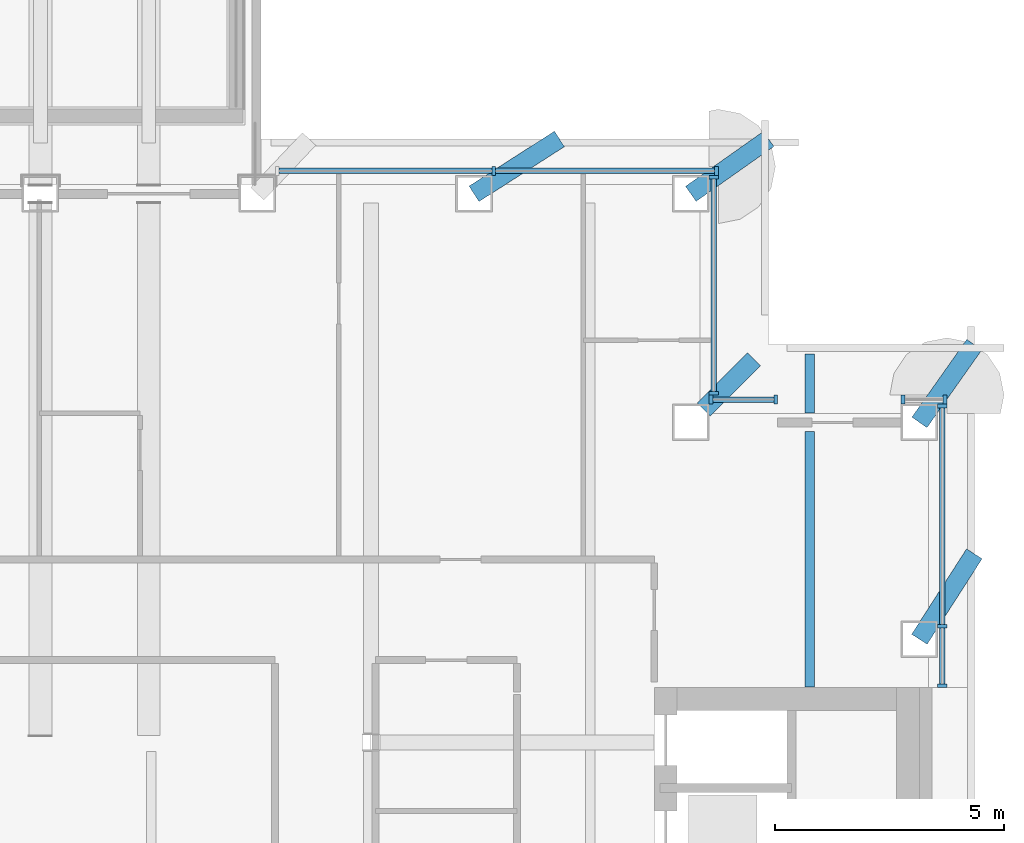
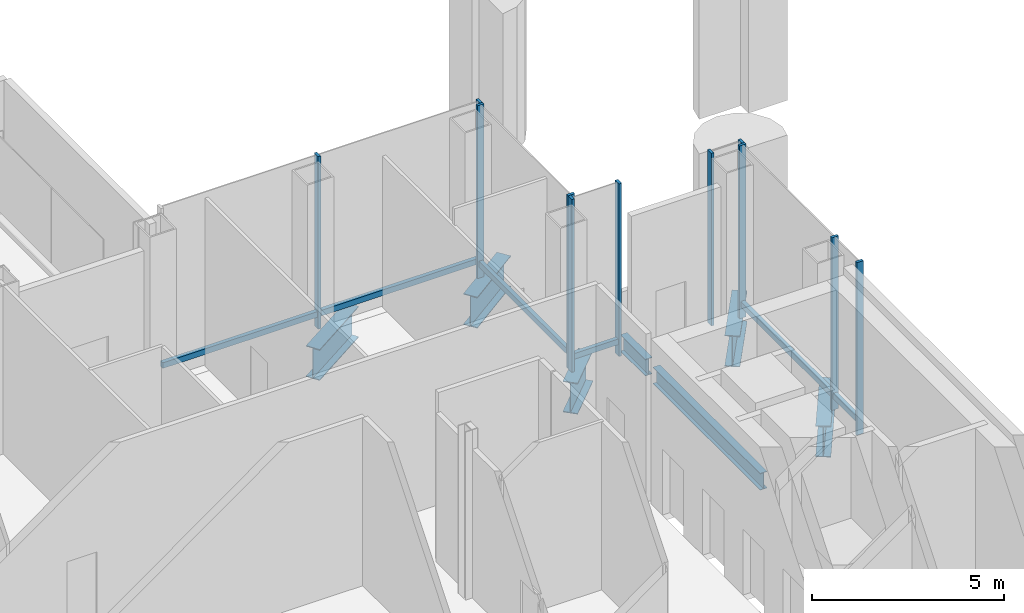
# One storey, part 6 of 22: 17 members, 7 beams, 5 elements without a shape of their own.
"""IFC4 building model written with IfcOpenShell, lengths in metres."""

import ifcopenshell
import ifcopenshell.guid

model = None  # the IFC model being written
_history = None  # IfcOwnerHistory: only IFC2X3 demands one
_inside = {}  # id of a spatial element -> (the spatial element, [elements in it])
_under = {}  # id of a project, library or spatial element -> (it, [spatial elements below it])
_declared = {}  # id of a project -> (the project, [libraries it declares])
_typed = {}  # id of a type object -> (the type object, [elements of that type])
_made_of = {}  # id of a material, layer set ... -> (it, [elements and type objects made of it])


def new_model(schema):
    """Start an empty IFC model of exactly this schema.

    Asked for "IFC4X3", IfcOpenShell would pick the latest addendum, in which some entities
    have other attributes; the version numbers below select the first issue.
    IFC2X3 requires an IfcOwnerHistory on every rooted entity: one is made here for all.
    """
    global model, _history
    if schema == "IFC4X3":
        model = ifcopenshell.file(schema_version=(4, 3, 0, 0))
    else:
        model = ifcopenshell.file(schema=schema)
    _inside.clear()
    _under.clear()
    _declared.clear()
    _typed.clear()
    _made_of.clear()
    _history = None
    if model.schema == "IFC2X3":
        org = make("IfcOrganization", Name="unknown")
        user = make(
            "IfcPersonAndOrganization",
            ThePerson=make("IfcPerson", FamilyName="unknown"),
            TheOrganization=org,
        )
        app = make(
            "IfcApplication",
            ApplicationDeveloper=org,
            Version="unknown",
            ApplicationFullName="unknown",
            ApplicationIdentifier="unknown",
        )
        _history = make(
            "IfcOwnerHistory",
            OwningUser=user,
            OwningApplication=app,
            ChangeAction="ADDED",
            CreationDate=0,
        )
    return model


def make(cls, **values):
    """One entity of the class cls with the attributes given. An attribute that is None is left unset."""
    return model.create_entity(
        cls, **{name: value for name, value in values.items() if value is not None}
    )


def rooted(cls, **values):
    """An entity with a GlobalId (a new one), such as an element, a storey or a relation."""
    return make(cls, GlobalId=ifcopenshell.guid.new(), OwnerHistory=_history, **values)


def si_unit(unit_type, name, prefix=None):
    """IfcSIUnit, for example si_unit("LENGTHUNIT", "METRE", prefix="MILLI")."""
    return make("IfcSIUnit", UnitType=unit_type, Prefix=prefix, Name=name)


def assignment(units):
    """IfcUnitAssignment: the units of a project."""
    return None if units is None else make("IfcUnitAssignment", Units=units)


def point(xyz):
    """IfcCartesianPoint."""
    return None if xyz is None else make("IfcCartesianPoint", Coordinates=xyz)


def direction(xyz):
    """IfcDirection."""
    return None if xyz is None else make("IfcDirection", DirectionRatios=xyz)


def frame(location, z_axis=None, x_axis=None):
    """IfcAxis2Placement3D, a coordinate frame: its origin and axes. An axis left out is left unset."""
    return make(
        "IfcAxis2Placement3D",
        Location=point(location),
        Axis=direction(z_axis),
        RefDirection=direction(x_axis),
    )


def frame_2d(location, x_axis=None):
    """IfcAxis2Placement2D, a coordinate frame in the plane: its origin and x axis."""
    return make(
        "IfcAxis2Placement2D", Location=point(location), RefDirection=direction(x_axis)
    )


def origin():
    """The frame at (0, 0, 0) with its axes left unset."""
    return frame((0.0, 0.0, 0.0))


def origin_2d():
    """The frame at (0, 0) in the plane with its x axis left unset."""
    return frame_2d((0.0, 0.0))


def place(relative_to, where):
    """IfcLocalPlacement: puts the frame where relative to a parent placement (None: the world)."""
    return make(
        "IfcLocalPlacement", PlacementRelTo=relative_to, RelativePlacement=where
    )


def context(
    kind, dimensions, precision=None, world=None, true_north=None, identifier=None
):
    """IfcGeometricRepresentationContext, for example the 3D "Model" context."""
    return make(
        "IfcGeometricRepresentationContext",
        ContextIdentifier=identifier,
        ContextType=kind,
        CoordinateSpaceDimension=dimensions,
        Precision=precision,
        WorldCoordinateSystem=world,
        TrueNorth=true_north,
    )


def subcontext(parent, identifier, kind, view, scale=None):
    """IfcGeometricRepresentationSubContext, for example "Body" below "Model"."""
    return make(
        "IfcGeometricRepresentationSubContext",
        ContextIdentifier=identifier,
        ContextType=kind,
        ParentContext=parent,
        TargetScale=scale,
        TargetView=view,
    )


def project(units=None, contexts=None):
    """IfcProject with its units and contexts."""
    return rooted(
        "IfcProject",
        Name="project",
        RepresentationContexts=contexts,
        UnitsInContext=assignment(units),
    )


def spatial(cls, under=None, at=None, **own):
    """A site, building, storey or space (cls), placed at a placement, below another one or the project."""
    s = rooted(cls, ObjectPlacement=at, **own)
    if under is not None:
        _under.setdefault(under.id(), (under, []))[1].append(s)
    return s


def profile(cls, at=None, kind="AREA", **sizes):
    """A parametric profile (cls). Its sizes go by their IFC names, for example OverallWidth=200.0."""
    return make(cls, ProfileType=kind, Position=at, **sizes)


def rectangle(**sizes):
    """IfcRectangleProfileDef."""
    return profile("IfcRectangleProfileDef", **sizes)


def i_section(**sizes):
    """IfcIShapeProfileDef."""
    return profile("IfcIShapeProfileDef", **sizes)


def extrude(swept, where, along, depth):
    """IfcExtrudedAreaSolid: the profile swept, set in the frame where, extruded along a direction by depth."""
    return make(
        "IfcExtrudedAreaSolid",
        SweptArea=swept,
        Position=where,
        ExtrudedDirection=direction(along),
        Depth=depth,
    )


def shape(context_of_items, identifier, shape_type, items):
    """IfcShapeRepresentation: the items that make up one representation, for example the "Body"."""
    return make(
        "IfcShapeRepresentation",
        ContextOfItems=context_of_items,
        RepresentationIdentifier=identifier,
        RepresentationType=shape_type,
        Items=items,
    )


def material(Name=None, Category=None):
    """IfcMaterial."""
    return make("IfcMaterial", Name=Name, Category=Category)


def material_profile(
    of_material, cross_section, Name=None, Category=None, Priority=None
):
    """IfcMaterialProfile: a cross section and its material."""
    return make(
        "IfcMaterialProfile",
        Name=Name,
        Material=of_material,
        Profile=cross_section,
        Priority=Priority,
        Category=Category,
    )


def profile_set(profiles, Name=None, composite=None):
    """IfcMaterialProfileSet."""
    return make(
        "IfcMaterialProfileSet",
        Name=Name,
        MaterialProfiles=profiles,
        CompositeProfile=composite,
    )


def made_of(thing, what):
    """Note that an element or type object is made of a material, layer set ...; save() writes the relation."""
    if what is not None:
        _made_of.setdefault(what.id(), (what, []))[1].append(thing)
    return thing


def type_object(cls, material=None, **own):
    """A type object (cls), such as IfcWallType, which elements share."""
    return made_of(rooted(cls, **own), material)


def element(
    cls,
    number,
    at=None,
    inside=None,
    cuts=None,
    type_object=None,
    material=None,
    context=None,
    identifier="Body",
    shape_type=None,
    held_by="IfcProductDefinitionShape",
    body=None,
    shapes=None,
    **own,
):
    """One element of the class cls, such as IfcWall. Its Tag is "e" and its number.

    at: its placement. inside: the storey or other place that contains it. cuts: it is an
    opening in that element (IfcRelVoidsElement). A single representation is given by context,
    identifier, shape_type and body (its items); several are given by shapes. held_by: the class
    of the entity that holds the representations. save() writes the other relations.
    """
    e = rooted(cls, Tag="e%d" % number, ObjectPlacement=at, **own)
    if body is not None:
        shapes = [shape(context, identifier, shape_type, body)]
    if shapes is not None:
        e.Representation = make(held_by, Representations=shapes)
    if inside is not None:
        _inside.setdefault(inside.id(), (inside, []))[1].append(e)
    if cuts is not None:
        rooted(
            "IfcRelVoidsElement", RelatingBuildingElement=cuts, RelatedOpeningElement=e
        )
    if type_object is not None:
        _typed.setdefault(type_object.id(), (type_object, []))[1].append(e)
    return made_of(e, material)


def aggregate(whole, parts):
    """IfcRelAggregates: a whole, such as a stair, and the parts it consists of."""
    return rooted("IfcRelAggregates", RelatingObject=whole, RelatedObjects=parts)


def save(model, path):
    """Write the relations noted so far, then the file.

    IfcRelAggregates (storeys below a building ...), IfcRelContainedInSpatialStructure (elements
    in a storey), IfcRelDefinesByType, IfcRelAssociatesMaterial and IfcRelDeclares: one each for
    every whole, place, type object, material and project.
    """
    for whole, parts in _under.values():
        aggregate(whole, parts)
    for where, things in _inside.values():
        rooted(
            "IfcRelContainedInSpatialStructure",
            RelatedElements=things,
            RelatingStructure=where,
        )
    for kind, things in _typed.values():
        rooted("IfcRelDefinesByType", RelatedObjects=things, RelatingType=kind)
    for what, things in _made_of.values():
        rooted("IfcRelAssociatesMaterial", RelatedObjects=things, RelatingMaterial=what)
    for by, libraries in _declared.values():
        rooted("IfcRelDeclares", RelatingContext=by, RelatedDefinitions=libraries)
    model.write(path)


model = new_model("IFC4")

# Units and contexts
model_context = context("Model", 3, precision=1e-05, world=origin(), true_north=direction((0.0, 1.0)))
body_context = subcontext(model_context, "Body", "Model", "MODEL_VIEW")
ifc_project = project(units=[si_unit("LENGTHUNIT", "METRE"), si_unit("AREAUNIT", "SQUARE_METRE"), si_unit("VOLUMEUNIT", "CUBIC_METRE"), si_unit("PLANEANGLEUNIT", "RADIAN"), si_unit("MASSUNIT", "GRAM", prefix="KILO")], contexts=[model_context])

# Site, building, storey
site_placement = place(None, origin())
site = spatial("IfcSite", under=ifc_project, at=site_placement, CompositionType="ELEMENT")
building_placement = place(site_placement, origin())
building = spatial("IfcBuilding", under=site, at=building_placement, Name="Cobrizo Arcos Hotel Tower", CompositionType="ELEMENT")
storey_placement = place(building_placement, frame((0.0, 0.0, 142.5)))
storey = spatial("IfcBuildingStorey", under=building, at=storey_placement, Name="L36", CompositionType="ELEMENT", Elevation=142.5)

# Curtain wall, members
ifc_material_1 = material(Name="Aluminium 6063-T6 anodised bronze", Category="aluminium")
curtain_wall_type = type_object("IfcCurtainWallType", Name="CW-E sky lobby glazing", PredefinedType="NOTDEFINED", material=ifc_material_1)
curtain_wall_1_placement = place(storey_placement, origin())
curtain_wall_1 = element("IfcCurtainWall", 1, at=curtain_wall_1_placement, inside=storey, type_object=curtain_wall_type, Name="CW-E L36 E face", PredefinedType="NOTDEFINED")
ifc_material_profile_1 = material_profile(ifc_material_1, rectangle(XDim=0.199951171875, YDim=0.080078125, at=origin_2d()), Name="CW-E mullion 200x80")
ifc_profile_set_1 = profile_set([ifc_material_profile_1], Name="Aluminium 6063-T6 anodised bronze")
member_type_1 = type_object("IfcMemberType", Name="CW-E mullion 200x80", PredefinedType="MULLION", material=ifc_profile_set_1)
member_1_placement = place(storey_placement, frame((22.10009765625, 10.840087890625, 0.0), z_axis=(0.0, 0.0, 1.0), x_axis=(1.0, 0.0, 0.0)))
member_1 = element("IfcMember", 2, at=member_1_placement, type_object=member_type_1, Name="CW-E mullion 1", PredefinedType="MULLION", context=body_context, shape_type="SweptSolid", body=[
    extrude(rectangle(XDim=0.199951171875, YDim=0.080078125, at=origin_2d()), origin(), (0.0, 0.0, 1.0), 5.5),
])
member_2_placement = place(storey_placement, frame((22.10009765625, 12.142822265625, 0.0), z_axis=(0.0, 0.0, 1.0), x_axis=(1.0, 0.0, 0.0)))
member_2 = element("IfcMember", 3, at=member_2_placement, type_object=member_type_1, Name="CW-E mullion 2", PredefinedType="MULLION", context=body_context, shape_type="SweptSolid", body=[
    extrude(rectangle(XDim=0.199951171875, YDim=0.080078125, at=origin_2d()), origin(), (0.0, 0.0, 1.0), 5.5),
])
member_3_placement = place(storey_placement, frame((22.10009765625, 16.9599609375, 0.0), z_axis=(0.0, 0.0, 1.0), x_axis=(1.0, 0.0, 0.0)))
member_3 = element("IfcMember", 4, at=member_3_placement, type_object=member_type_1, Name="CW-E mullion 3", PredefinedType="MULLION", context=body_context, shape_type="SweptSolid", body=[
    extrude(rectangle(XDim=0.199951171875, YDim=0.080078125, at=origin_2d()), origin(), (0.0, 0.0, 1.0), 5.5),
])

curtain_wall_2_placement = place(storey_placement, origin())
curtain_wall_2 = element("IfcCurtainWall", 5, at=curtain_wall_2_placement, inside=storey, type_object=curtain_wall_type, Name="CW-E L36 N face", PredefinedType="NOTDEFINED")
member_4_placement = place(storey_placement, frame((22.159912109375, 17.10009765625, 0.0), z_axis=(0.0, 0.0, 1.0), x_axis=(0.0, 1.0, 0.0)))
member_4 = element("IfcMember", 6, at=member_4_placement, type_object=member_type_1, Name="CW-E mullion 1", PredefinedType="MULLION", context=body_context, shape_type="SweptSolid", body=[
    extrude(rectangle(XDim=0.199951171875, YDim=0.080078125, at=origin_2d()), origin(), (0.0, 0.0, 1.0), 5.5),
])
member_5_placement = place(storey_placement, frame((21.239990234375, 17.10009765625, 0.0), z_axis=(0.0, 0.0, 1.0), x_axis=(0.0, 1.0, 0.0)))
member_5 = element("IfcMember", 7, at=member_5_placement, type_object=member_type_1, Name="CW-E mullion 2", PredefinedType="MULLION", context=body_context, shape_type="SweptSolid", body=[
    extrude(rectangle(XDim=0.199951171875, YDim=0.080078125, at=origin_2d()), origin(), (0.0, 0.0, 1.0), 5.5),
])
aggregate(curtain_wall_2, [member_4, member_5])

curtain_wall_3_placement = place(storey_placement, origin())
curtain_wall_3 = element("IfcCurtainWall", 8, at=curtain_wall_3_placement, inside=storey, type_object=curtain_wall_type, Name="CW-E L36 N face", PredefinedType="NOTDEFINED")
member_6_placement = place(storey_placement, frame((18.4599609375, 17.10009765625, 0.0), z_axis=(0.0, 0.0, 1.0), x_axis=(0.0, 1.0, 0.0)))
member_6 = element("IfcMember", 9, at=member_6_placement, type_object=member_type_1, Name="CW-E mullion 1", PredefinedType="MULLION", context=body_context, shape_type="SweptSolid", body=[
    extrude(rectangle(XDim=0.199951171875, YDim=0.080078125, at=origin_2d()), origin(), (0.0, 0.0, 1.0), 5.5),
])
member_7_placement = place(storey_placement, frame((17.0400390625, 17.10009765625, 0.0), z_axis=(0.0, 0.0, 1.0), x_axis=(0.0, 1.0, 0.0)))
member_7 = element("IfcMember", 10, at=member_7_placement, type_object=member_type_1, Name="CW-E mullion 2", PredefinedType="MULLION", context=body_context, shape_type="SweptSolid", body=[
    extrude(rectangle(XDim=0.199951171875, YDim=0.080078125, at=origin_2d()), origin(), (0.0, 0.0, 1.0), 5.5),
])

curtain_wall_4_placement = place(storey_placement, origin())
curtain_wall_4 = element("IfcCurtainWall", 11, at=curtain_wall_4_placement, inside=storey, type_object=curtain_wall_type, Name="CW-E L36 E face", PredefinedType="NOTDEFINED")
member_8_placement = place(storey_placement, frame((17.10009765625, 17.239990234375, 0.0), z_axis=(0.0, 0.0, 1.0), x_axis=(1.0, 0.0, 0.0)))
member_8 = element("IfcMember", 12, at=member_8_placement, type_object=member_type_1, Name="CW-E mullion 1", PredefinedType="MULLION", context=body_context, shape_type="SweptSolid", body=[
    extrude(rectangle(XDim=0.199951171875, YDim=0.080078125, at=origin_2d()), origin(), (0.0, 0.0, 1.0), 5.5),
])
member_9_placement = place(storey_placement, frame((17.10009765625, 21.9599609375, 0.0), z_axis=(0.0, 0.0, 1.0), x_axis=(1.0, 0.0, 0.0)))
member_9 = element("IfcMember", 13, at=member_9_placement, type_object=member_type_1, Name="CW-E mullion 2", PredefinedType="MULLION", context=body_context, shape_type="SweptSolid", body=[
    extrude(rectangle(XDim=0.199951171875, YDim=0.080078125, at=origin_2d()), origin(), (0.0, 0.0, 1.0), 5.5),
])

curtain_wall_5_placement = place(storey_placement, origin())
curtain_wall_5 = element("IfcCurtainWall", 14, at=curtain_wall_5_placement, inside=storey, type_object=curtain_wall_type, Name="CW-E L36 N face", PredefinedType="NOTDEFINED")
member_10_placement = place(storey_placement, frame((17.159912109375, 22.10009765625, 0.0), z_axis=(0.0, 0.0, 1.0), x_axis=(0.0, 1.0, 0.0)))
member_10 = element("IfcMember", 15, at=member_10_placement, type_object=member_type_1, Name="CW-E mullion 1", PredefinedType="MULLION", context=body_context, shape_type="SweptSolid", body=[
    extrude(rectangle(XDim=0.199951171875, YDim=0.080078125, at=origin_2d()), origin(), (0.0, 0.0, 1.0), 5.5),
])
member_11_placement = place(storey_placement, frame((12.28564453125, 22.10009765625, 0.0), z_axis=(0.0, 0.0, 1.0), x_axis=(0.0, 1.0, 0.0)))
member_11 = element("IfcMember", 16, at=member_11_placement, type_object=member_type_1, Name="CW-E mullion 2", PredefinedType="MULLION", context=body_context, shape_type="SweptSolid", body=[
    extrude(rectangle(XDim=0.199951171875, YDim=0.080078125, at=origin_2d()), origin(), (0.0, 0.0, 1.0), 5.5),
])

# Member
ifc_material_profile_2 = material_profile(ifc_material_1, rectangle(XDim=0.1201171875, YDim=0.179931640625, at=origin_2d()), Name="CW-E transom 180x120")
ifc_profile_set_2 = profile_set([ifc_material_profile_2], Name="Aluminium 6063-T6 anodised bronze")
member_type_2 = type_object("IfcMemberType", Name="CW-E transom 180x120", PredefinedType="USERDEFINED", material=ifc_profile_set_2)
member_12_placement = place(storey_placement, frame((22.10009765625, 10.8798828125, 0.449951171875), z_axis=(0.0, 1.0, 0.0), x_axis=(-1.0, 0.0, 0.0)))
member_12 = element("IfcMember", 17, at=member_12_placement, type_object=member_type_2, Name="CW-E transom 1318", ObjectType="TRANSOM", PredefinedType="USERDEFINED", context=body_context, shape_type="SweptSolid", body=[
    extrude(rectangle(XDim=0.1201171875, YDim=0.179931640625, at=origin_2d()), origin(), (0.0, 0.0, 1.0), 1.222900390625),
])

member_13_placement = place(storey_placement, frame((22.10009765625, 12.182861328125, 0.449951171875), z_axis=(0.0, 1.0, 0.0), x_axis=(-1.0, 0.0, 0.0)))
member_13 = element("IfcMember", 18, at=member_13_placement, type_object=member_type_2, Name="CW-E transom 1319", ObjectType="TRANSOM", PredefinedType="USERDEFINED", context=body_context, shape_type="SweptSolid", body=[
    extrude(rectangle(XDim=0.1201171875, YDim=0.179931640625, at=origin_2d()), origin(), (0.0, 0.0, 1.0), 4.737060546875),
])

aggregate(curtain_wall_1, [member_1, member_2, member_3, member_12, member_13])

member_14_placement = place(storey_placement, frame((18.419921875, 17.10009765625, 0.449951171875), z_axis=(-1.0, 0.0, 0.0), x_axis=(0.0, -1.0, 0.0)))
member_14 = element("IfcMember", 19, at=member_14_placement, type_object=member_type_2, Name="CW-E transom 1321", ObjectType="TRANSOM", PredefinedType="USERDEFINED", context=body_context, shape_type="SweptSolid", body=[
    extrude(rectangle(XDim=0.1201171875, YDim=0.179931640625, at=origin_2d()), origin(), (0.0, 0.0, 1.0), 1.33984375),
])

aggregate(curtain_wall_3, [member_6, member_7, member_14])

member_15_placement = place(storey_placement, frame((17.10009765625, 17.280029296875, 0.449951171875), z_axis=(0.0, 1.0, 0.0), x_axis=(-1.0, 0.0, 0.0)))
member_15 = element("IfcMember", 20, at=member_15_placement, type_object=member_type_2, Name="CW-E transom 1322", ObjectType="TRANSOM", PredefinedType="USERDEFINED", context=body_context, shape_type="SweptSolid", body=[
    extrude(rectangle(XDim=0.1201171875, YDim=0.179931640625, at=origin_2d()), origin(), (0.0, 0.0, 1.0), 4.639892578125),
])

aggregate(curtain_wall_4, [member_8, member_9, member_15])

member_16_placement = place(storey_placement, frame((17.1201171875, 22.10009765625, 0.449951171875), z_axis=(-1.0, 0.0, 0.0), x_axis=(0.0, -1.0, 0.0)))
member_16 = element("IfcMember", 21, at=member_16_placement, type_object=member_type_2, Name="CW-E transom 1323", ObjectType="TRANSOM", PredefinedType="USERDEFINED", context=body_context, shape_type="SweptSolid", body=[
    extrude(rectangle(XDim=0.1201171875, YDim=0.179931640625, at=origin_2d()), origin(), (0.0, 0.0, 1.0), 4.79443359375),
])

member_17_placement = place(storey_placement, frame((12.24560546875, 22.10009765625, 0.449951171875), z_axis=(-1.0, 0.0, 0.0), x_axis=(0.0, -1.0, 0.0)))
member_17 = element("IfcMember", 22, at=member_17_placement, type_object=member_type_2, Name="CW-E transom 1324", ObjectType="TRANSOM", PredefinedType="USERDEFINED", context=body_context, shape_type="SweptSolid", body=[
    extrude(rectangle(XDim=0.1201171875, YDim=0.179931640625, at=origin_2d()), origin(), (0.0, 0.0, 1.0), 4.651611328125),
])

aggregate(curtain_wall_5, [member_10, member_11, member_16, member_17])

# Beams
ifc_material_2 = material(Name="Steel ASTM A992 Grade 50", Category="steel")
ifc_material_profile_3 = material_profile(ifc_material_2, i_section(OverallWidth=0.209228515625, OverallDepth=0.533447265625, WebThickness=0.01025390625, FlangeThickness=0.015625, at=origin_2d()), Name="W21X62")
ifc_profile_set_3 = profile_set([ifc_material_profile_3], Name="Steel ASTM A992 Grade 50")
beam_type_1 = type_object("IfcBeamType", Name="W21X62 joist", PredefinedType="JOIST", material=ifc_profile_set_3)
beam_1_placement = place(storey_placement, frame((19.199951171875, 10.81005859375, -0.466796875), z_axis=(0.0, 1.0, 0.0), x_axis=(-1.0, 0.0, 0.0)))
element("IfcBeam", 23, at=beam_1_placement, inside=storey, type_object=beam_type_1, Name="Floor joist J1, L36, no. 021", PredefinedType="JOIST", context=body_context, shape_type="SweptSolid", body=[
    extrude(i_section(OverallWidth=0.209228515625, OverallDepth=0.533447265625, WebThickness=0.01025390625, FlangeThickness=0.015625, at=origin_2d()), origin(), (0.0, 0.0, 1.0), 5.58935546875),
])
beam_2_placement = place(storey_placement, frame((19.199951171875, 16.800537109375, -0.466796875), z_axis=(0.0, 1.0, 0.0), x_axis=(-1.0, 0.0, 0.0)))
element("IfcBeam", 24, at=beam_2_placement, inside=storey, type_object=beam_type_1, Name="Floor joist J1, L36, no. 022", PredefinedType="JOIST", context=body_context, shape_type="SweptSolid", body=[
    extrude(i_section(OverallWidth=0.209228515625, OverallDepth=0.533447265625, WebThickness=0.01025390625, FlangeThickness=0.015625, at=origin_2d()), origin(), (0.0, 0.0, 1.0), 1.299072265625),
])
ifc_material_profile_4 = material_profile(ifc_material_2, i_section(OverallWidth=0.4013671875, OverallDepth=0.990478515625, WebThickness=0.0166015625, FlangeThickness=0.025390625, at=origin_2d()), Name="W40X215")
ifc_profile_set_4 = profile_set([ifc_material_profile_4], Name="Steel ASTM A992 Grade 50")
beam_type_2 = type_object("IfcBeamType", Name="W40X215 transfer girder", PredefinedType="BEAM", material=ifc_profile_set_4)
beam_3_placement = place(storey_placement, frame((13.72509765625, 22.800048828125, -0.6953125), z_axis=(-0.841385623692, -0.540435224836, 0.0), x_axis=(0.540435224836, -0.841385623692, 0.0)))
element("IfcBeam", 25, at=beam_3_placement, inside=storey, type_object=beam_type_2, Name="Setback transfer girder TG1, L36, no. 009", PredefinedType="BEAM", context=body_context, shape_type="SweptSolid", body=[
    extrude(i_section(OverallWidth=0.4013671875, OverallDepth=0.990478515625, WebThickness=0.0166015625, FlangeThickness=0.025390625, at=origin_2d()), origin(), (0.0, 0.0, 1.0), 2.220458984375),
])
beam_4_placement = place(storey_placement, frame((18.300048828125, 22.800048828125, -0.6953125), z_axis=(-0.816971114901, -0.576678591087, 0.0), x_axis=(0.576678591087, -0.816971114901, 0.0)))
element("IfcBeam", 26, at=beam_4_placement, inside=storey, type_object=beam_type_2, Name="Setback transfer girder TG1, L36, no. 011", PredefinedType="BEAM", context=body_context, shape_type="SweptSolid", body=[
    extrude(i_section(OverallWidth=0.4013671875, OverallDepth=0.990478515625, WebThickness=0.0166015625, FlangeThickness=0.025390625, at=origin_2d()), origin(), (0.0, 0.0, 1.0), 2.080810546875),
])
beam_5_placement = place(storey_placement, frame((22.800048828125, 13.72509765625, -0.6953125), z_axis=(-0.540435224836, -0.841385623692, 0.0), x_axis=(0.841385623692, -0.540435224836, 0.0)))
element("IfcBeam", 27, at=beam_5_placement, inside=storey, type_object=beam_type_2, Name="Setback transfer girder TG1, L36, no. 017", PredefinedType="BEAM", context=body_context, shape_type="SweptSolid", body=[
    extrude(i_section(OverallWidth=0.4013671875, OverallDepth=0.990478515625, WebThickness=0.0166015625, FlangeThickness=0.025390625, at=origin_2d()), origin(), (0.0, 0.0, 1.0), 2.220458984375),
])
beam_6_placement = place(storey_placement, frame((22.800048828125, 18.300048828125, -0.6953125), z_axis=(-0.576678591087, -0.816971114901, 0.0), x_axis=(0.816971114901, -0.576678591087, 0.0)))
element("IfcBeam", 28, at=beam_6_placement, inside=storey, type_object=beam_type_2, Name="Setback transfer girder TG1, L36, no. 019", PredefinedType="BEAM", context=body_context, shape_type="SweptSolid", body=[
    extrude(i_section(OverallWidth=0.4013671875, OverallDepth=0.990478515625, WebThickness=0.0166015625, FlangeThickness=0.025390625, at=origin_2d()), origin(), (0.0, 0.0, 1.0), 2.080810546875),
])
beam_7_placement = place(storey_placement, frame((17.981689453125, 17.981689453125, -0.6953125), z_axis=(-0.707106781187, -0.707106781187, 0.0), x_axis=(0.707106781187, -0.707106781187, 0.0)))
element("IfcBeam", 29, at=beam_7_placement, inside=storey, type_object=beam_type_2, Name="Setback transfer girder TG1, L36, no. 024", PredefinedType="BEAM", context=body_context, shape_type="SweptSolid", body=[
    extrude(i_section(OverallWidth=0.4013671875, OverallDepth=0.990478515625, WebThickness=0.0166015625, FlangeThickness=0.025390625, at=origin_2d()), origin(), (0.0, 0.0, 1.0), 1.553955078125),
])

save(model, "model.ifc")
